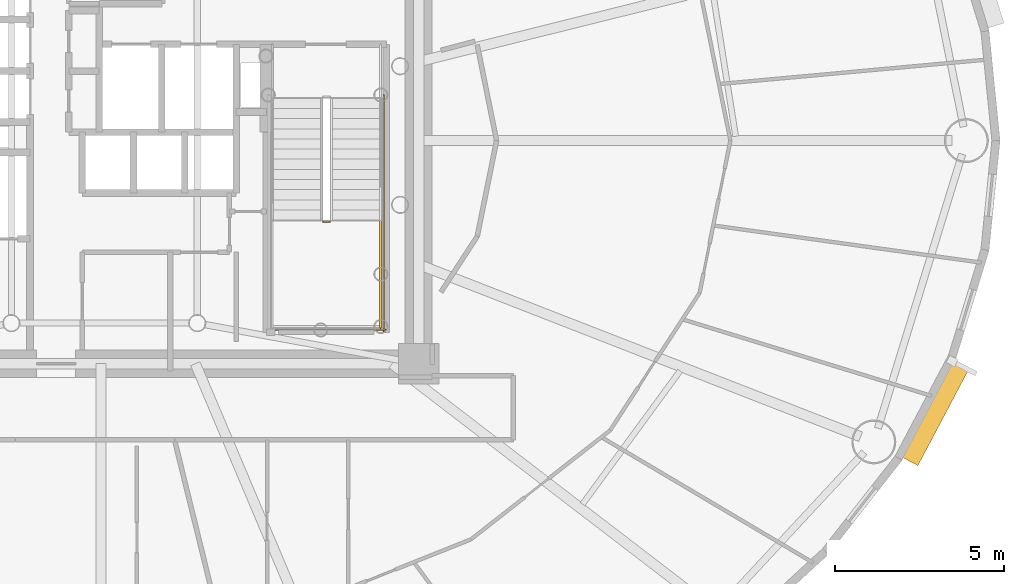
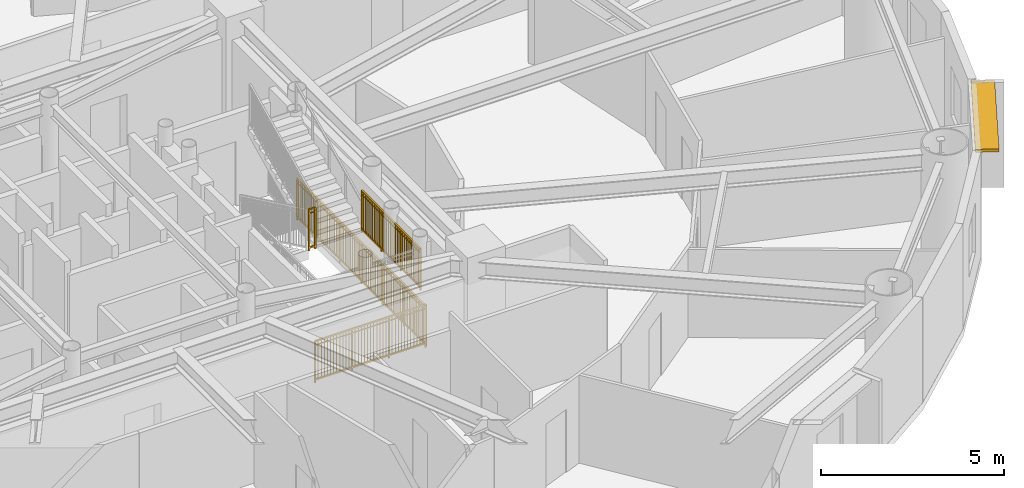
# One storey, part 16 of 18: 4 railings, 1 shading device.
"""IFC4 building model written with IfcOpenShell, lengths in metres."""

import ifcopenshell
import ifcopenshell.guid

model = None  # the IFC model being written
_history = None  # IfcOwnerHistory: only IFC2X3 demands one
_inside = {}  # id of a spatial element -> (the spatial element, [elements in it])
_under = {}  # id of a project, library or spatial element -> (it, [spatial elements below it])
_declared = {}  # id of a project -> (the project, [libraries it declares])
_typed = {}  # id of a type object -> (the type object, [elements of that type])
_made_of = {}  # id of a material, layer set ... -> (it, [elements and type objects made of it])


def new_model(schema):
    """Start an empty IFC model of exactly this schema.

    Asked for "IFC4X3", IfcOpenShell would pick the latest addendum, in which some entities
    have other attributes; the version numbers below select the first issue.
    IFC2X3 requires an IfcOwnerHistory on every rooted entity: one is made here for all.
    """
    global model, _history
    if schema == "IFC4X3":
        model = ifcopenshell.file(schema_version=(4, 3, 0, 0))
    else:
        model = ifcopenshell.file(schema=schema)
    _inside.clear()
    _under.clear()
    _declared.clear()
    _typed.clear()
    _made_of.clear()
    _history = None
    if model.schema == "IFC2X3":
        org = make("IfcOrganization", Name="unknown")
        user = make(
            "IfcPersonAndOrganization",
            ThePerson=make("IfcPerson", FamilyName="unknown"),
            TheOrganization=org,
        )
        app = make(
            "IfcApplication",
            ApplicationDeveloper=org,
            Version="unknown",
            ApplicationFullName="unknown",
            ApplicationIdentifier="unknown",
        )
        _history = make(
            "IfcOwnerHistory",
            OwningUser=user,
            OwningApplication=app,
            ChangeAction="ADDED",
            CreationDate=0,
        )
    return model


def make(cls, **values):
    """One entity of the class cls with the attributes given. An attribute that is None is left unset."""
    return model.create_entity(
        cls, **{name: value for name, value in values.items() if value is not None}
    )


def rooted(cls, **values):
    """An entity with a GlobalId (a new one), such as an element, a storey or a relation."""
    return make(cls, GlobalId=ifcopenshell.guid.new(), OwnerHistory=_history, **values)


def si_unit(unit_type, name, prefix=None):
    """IfcSIUnit, for example si_unit("LENGTHUNIT", "METRE", prefix="MILLI")."""
    return make("IfcSIUnit", UnitType=unit_type, Prefix=prefix, Name=name)


def assignment(units):
    """IfcUnitAssignment: the units of a project."""
    return None if units is None else make("IfcUnitAssignment", Units=units)


def point(xyz):
    """IfcCartesianPoint."""
    return None if xyz is None else make("IfcCartesianPoint", Coordinates=xyz)


def direction(xyz):
    """IfcDirection."""
    return None if xyz is None else make("IfcDirection", DirectionRatios=xyz)


def frame(location, z_axis=None, x_axis=None):
    """IfcAxis2Placement3D, a coordinate frame: its origin and axes. An axis left out is left unset."""
    return make(
        "IfcAxis2Placement3D",
        Location=point(location),
        Axis=direction(z_axis),
        RefDirection=direction(x_axis),
    )


def frame_2d(location, x_axis=None):
    """IfcAxis2Placement2D, a coordinate frame in the plane: its origin and x axis."""
    return make(
        "IfcAxis2Placement2D", Location=point(location), RefDirection=direction(x_axis)
    )


def origin():
    """The frame at (0, 0, 0) with its axes left unset."""
    return frame((0.0, 0.0, 0.0))


def origin_2d():
    """The frame at (0, 0) in the plane with its x axis left unset."""
    return frame_2d((0.0, 0.0))


def place(relative_to, where):
    """IfcLocalPlacement: puts the frame where relative to a parent placement (None: the world)."""
    return make(
        "IfcLocalPlacement", PlacementRelTo=relative_to, RelativePlacement=where
    )


def context(
    kind, dimensions, precision=None, world=None, true_north=None, identifier=None
):
    """IfcGeometricRepresentationContext, for example the 3D "Model" context."""
    return make(
        "IfcGeometricRepresentationContext",
        ContextIdentifier=identifier,
        ContextType=kind,
        CoordinateSpaceDimension=dimensions,
        Precision=precision,
        WorldCoordinateSystem=world,
        TrueNorth=true_north,
    )


def subcontext(parent, identifier, kind, view, scale=None):
    """IfcGeometricRepresentationSubContext, for example "Body" below "Model"."""
    return make(
        "IfcGeometricRepresentationSubContext",
        ContextIdentifier=identifier,
        ContextType=kind,
        ParentContext=parent,
        TargetScale=scale,
        TargetView=view,
    )


def project(units=None, contexts=None):
    """IfcProject with its units and contexts."""
    return rooted(
        "IfcProject",
        Name="project",
        RepresentationContexts=contexts,
        UnitsInContext=assignment(units),
    )


def spatial(cls, under=None, at=None, **own):
    """A site, building, storey or space (cls), placed at a placement, below another one or the project."""
    s = rooted(cls, ObjectPlacement=at, **own)
    if under is not None:
        _under.setdefault(under.id(), (under, []))[1].append(s)
    return s


def profile(cls, at=None, kind="AREA", **sizes):
    """A parametric profile (cls). Its sizes go by their IFC names, for example OverallWidth=200.0."""
    return make(cls, ProfileType=kind, Position=at, **sizes)


def rectangle(**sizes):
    """IfcRectangleProfileDef."""
    return profile("IfcRectangleProfileDef", **sizes)


def extrude(swept, where, along, depth):
    """IfcExtrudedAreaSolid: the profile swept, set in the frame where, extruded along a direction by depth."""
    return make(
        "IfcExtrudedAreaSolid",
        SweptArea=swept,
        Position=where,
        ExtrudedDirection=direction(along),
        Depth=depth,
    )


def shape(context_of_items, identifier, shape_type, items):
    """IfcShapeRepresentation: the items that make up one representation, for example the "Body"."""
    return make(
        "IfcShapeRepresentation",
        ContextOfItems=context_of_items,
        RepresentationIdentifier=identifier,
        RepresentationType=shape_type,
        Items=items,
    )


def source(mapping_origin, context_of_items, identifier, shape_type, items):
    """IfcRepresentationMap: a shape defined once, which mapped items show again and again."""
    return make(
        "IfcRepresentationMap",
        MappingOrigin=mapping_origin,
        MappedRepresentation=shape(context_of_items, identifier, shape_type, items),
    )


def transform(
    local_origin,
    x_axis=None,
    y_axis=None,
    z_axis=None,
    scale=None,
    scale2=None,
    scale3=None,
    uniform=True,
):
    """IfcCartesianTransformationOperator3D, or its non-uniform kind. x_axis, y_axis, z_axis: its Axis1, 2, 3."""
    if uniform:
        return make(
            "IfcCartesianTransformationOperator3D",
            Axis1=direction(x_axis),
            Axis2=direction(y_axis),
            LocalOrigin=point(local_origin),
            Scale=scale,
            Axis3=direction(z_axis),
        )
    return make(
        "IfcCartesianTransformationOperator3DnonUniform",
        Axis1=direction(x_axis),
        Axis2=direction(y_axis),
        LocalOrigin=point(local_origin),
        Scale=scale,
        Axis3=direction(z_axis),
        Scale2=scale2,
        Scale3=scale3,
    )


def mapped(mapping_source, mapping_target):
    """IfcMappedItem: shows the shape of a source again, moved by a transform."""
    return make(
        "IfcMappedItem", MappingSource=mapping_source, MappingTarget=mapping_target
    )


def material(Name=None, Category=None):
    """IfcMaterial."""
    return make("IfcMaterial", Name=Name, Category=Category)


def layer(
    of_material, thickness, ventilated=None, Name=None, Category=None, Priority=None
):
    """IfcMaterialLayer: one layer of a wall or slab, of a material (None: an air gap)."""
    return make(
        "IfcMaterialLayer",
        Material=of_material,
        LayerThickness=thickness,
        IsVentilated=ventilated,
        Name=Name,
        Category=Category,
        Priority=Priority,
    )


def layer_set(layers, Name=None):
    """IfcMaterialLayerSet."""
    return make("IfcMaterialLayerSet", MaterialLayers=layers, LayerSetName=Name)


def made_of(thing, what):
    """Note that an element or type object is made of a material, layer set ...; save() writes the relation."""
    if what is not None:
        _made_of.setdefault(what.id(), (what, []))[1].append(thing)
    return thing


def type_object(cls, material=None, **own):
    """A type object (cls), such as IfcWallType, which elements share."""
    return made_of(rooted(cls, **own), material)


def element(
    cls,
    number,
    at=None,
    inside=None,
    cuts=None,
    type_object=None,
    material=None,
    context=None,
    identifier="Body",
    shape_type=None,
    held_by="IfcProductDefinitionShape",
    body=None,
    shapes=None,
    **own,
):
    """One element of the class cls, such as IfcWall. Its Tag is "e" and its number.

    at: its placement. inside: the storey or other place that contains it. cuts: it is an
    opening in that element (IfcRelVoidsElement). A single representation is given by context,
    identifier, shape_type and body (its items); several are given by shapes. held_by: the class
    of the entity that holds the representations. save() writes the other relations.
    """
    e = rooted(cls, Tag="e%d" % number, ObjectPlacement=at, **own)
    if body is not None:
        shapes = [shape(context, identifier, shape_type, body)]
    if shapes is not None:
        e.Representation = make(held_by, Representations=shapes)
    if inside is not None:
        _inside.setdefault(inside.id(), (inside, []))[1].append(e)
    if cuts is not None:
        rooted(
            "IfcRelVoidsElement", RelatingBuildingElement=cuts, RelatedOpeningElement=e
        )
    if type_object is not None:
        _typed.setdefault(type_object.id(), (type_object, []))[1].append(e)
    return made_of(e, material)


def aggregate(whole, parts):
    """IfcRelAggregates: a whole, such as a stair, and the parts it consists of."""
    return rooted("IfcRelAggregates", RelatingObject=whole, RelatedObjects=parts)


def save(model, path):
    """Write the relations noted so far, then the file.

    IfcRelAggregates (storeys below a building ...), IfcRelContainedInSpatialStructure (elements
    in a storey), IfcRelDefinesByType, IfcRelAssociatesMaterial and IfcRelDeclares: one each for
    every whole, place, type object, material and project.
    """
    for whole, parts in _under.values():
        aggregate(whole, parts)
    for where, things in _inside.values():
        rooted(
            "IfcRelContainedInSpatialStructure",
            RelatedElements=things,
            RelatingStructure=where,
        )
    for kind, things in _typed.values():
        rooted("IfcRelDefinesByType", RelatedObjects=things, RelatingType=kind)
    for what, things in _made_of.values():
        rooted("IfcRelAssociatesMaterial", RelatedObjects=things, RelatingMaterial=what)
    for by, libraries in _declared.values():
        rooted("IfcRelDeclares", RelatingContext=by, RelatedDefinitions=libraries)
    model.write(path)


model = new_model("IFC4")

# Units and contexts
model_context = context("Model", 3, precision=1e-05, world=origin(), true_north=direction((0.0, 1.0)))
body_context = subcontext(model_context, "Body", "Model", "MODEL_VIEW")
ifc_project = project(units=[si_unit("LENGTHUNIT", "METRE"), si_unit("AREAUNIT", "SQUARE_METRE"), si_unit("VOLUMEUNIT", "CUBIC_METRE"), si_unit("PLANEANGLEUNIT", "RADIAN"), si_unit("MASSUNIT", "GRAM", prefix="KILO")], contexts=[model_context])

# Site, building, storey
site_placement = place(None, origin())
site = spatial("IfcSite", under=ifc_project, at=site_placement, CompositionType="ELEMENT")
building_placement = place(site_placement, origin())
building = spatial("IfcBuilding", under=site, at=building_placement, Name="Linh Dai School and Residence Tower", CompositionType="ELEMENT")
storey_placement = place(building_placement, frame((0.0, 0.0, 186.14990234375)))
storey = spatial("IfcBuildingStorey", under=building, at=storey_placement, Name="L45", CompositionType="ELEMENT", Elevation=186.14990234375)

# Shading device
ifc_material_1 = material(Name="Terracotta Ceramic Sunshade", Category="masonry")
ifc_layer = layer(ifc_material_1, 0.10009765625)
ifc_layer_set = layer_set([ifc_layer], Name="Terracotta Ceramic Sunshade")
shading_device_type = type_object("IfcShadingDeviceType", Name="SHD-TC-650", PredefinedType="USERDEFINED", material=ifc_layer_set)
shared_shape_1 = source(origin(), body_context, "Body", "SweptSolid", [
    extrude(rectangle(XDim=3.257568359375, YDim=0.64990234375, at=origin_2d()), origin(), (0.0, 0.0, 1.0), 0.10009765625),
])
shading_device_placement = place(storey_placement, frame((60.641357421875, 18.97802734375, 3.380126953125), z_axis=(0.0, 0.0, 1.0), x_axis=(-0.467580060884, -0.883950726378, 0.0)))
element("IfcShadingDevice", 1, at=shading_device_placement, inside=storey, type_object=shading_device_type, Name="L45 Terracotta Horizontal Sunshade Band 38", ObjectType="SUNSHADE", PredefinedType="USERDEFINED", context=body_context, shape_type="MappedRepresentation", body=[
    mapped(shared_shape_1, transform((0.0, 0.0, 0.0), x_axis=(1.0, 0.0, 0.0), y_axis=(0.0, 1.0, 0.0), z_axis=(0.0, 0.0, 1.0), scale=1.0)),
])

# Railings
ifc_material_2 = material(Name="Structural Steel S355JR", Category="steel")
railing_type = type_object("IfcRailingType", Name="RL-ST-GUARD-1400", PredefinedType="GUARDRAIL", material=ifc_material_2)
shared_shape_2 = source(origin(), body_context, "Body", "SweptSolid", [
    extrude(rectangle(XDim=0.048095703125, YDim=0.048095703125, at=origin_2d()), frame((0.0, 0.0, 1.3759765625), z_axis=(1.0, 0.0, 0.0), x_axis=(0.0, 1.0, 0.0)), (0.0, 0.0, 1.0), 0.199951171875),
    extrude(rectangle(XDim=0.048095703125, YDim=0.048095703125, at=origin_2d()), frame((0.0, 0.0, 0.10009765625), z_axis=(1.0, 0.0, 0.0), x_axis=(0.0, 1.0, 0.0)), (0.0, 0.0, 1.0), 0.199951171875),
    extrude(rectangle(XDim=0.030029296875, YDim=0.030029296875, at=origin_2d()), frame((0.0, 0.0, 1.239990234375), z_axis=(1.0, 0.0, 0.0), x_axis=(0.0, 1.0, 0.0)), (0.0, 0.0, 1.0), 0.199951171875),
    extrude(rectangle(XDim=0.0419921875, YDim=0.0419921875, at=origin_2d()), origin(), (0.0, 0.0, 1.0), 1.3759765625),
    extrude(rectangle(XDim=0.0419921875, YDim=0.0419921875, at=origin_2d()), frame((0.199951171875, 0.0, 0.0)), (0.0, 0.0, 1.0), 1.3759765625),
])
railing_1_placement = place(storey_placement, frame((42.570068359375, 24.60009765625, 1.875)))
element("IfcRailing", 2, at=railing_1_placement, inside=storey, type_object=railing_type, Name="L45 ST2 stair guard 2", PredefinedType="GUARDRAIL", context=body_context, shape_type="MappedRepresentation", body=[
    mapped(shared_shape_2, transform((0.0, 0.0, 0.0), x_axis=(1.0, 0.0, 0.0), y_axis=(0.0, 1.0, 0.0), z_axis=(0.0, 0.0, 1.0), scale=1.0)),
])
shared_shape_3 = source(origin(), body_context, "Body", "SweptSolid", [
    extrude(rectangle(XDim=0.048095703125, YDim=0.048095703125, at=origin_2d()), frame((0.0, 0.0, 1.3759765625), z_axis=(0.0, -1.0, 0.0), x_axis=(1.0, 0.0, 0.0)), (0.0, 0.0, 1.0), 7.0),
    extrude(rectangle(XDim=0.048095703125, YDim=0.048095703125, at=origin_2d()), frame((0.0, 0.0, 0.10009765625), z_axis=(0.0, -1.0, 0.0), x_axis=(1.0, 0.0, 0.0)), (0.0, 0.0, 1.0), 7.0),
    extrude(rectangle(XDim=0.030029296875, YDim=0.030029296875, at=origin_2d()), frame((0.0, 0.0, 1.239990234375), z_axis=(0.0, -1.0, 0.0), x_axis=(1.0, 0.0, 0.0)), (0.0, 0.0, 1.0), 7.0),
    extrude(rectangle(XDim=0.02001953125, YDim=0.02001953125, at=origin_2d()), frame((0.0, -0.09716796875, 0.10009765625)), (0.0, 0.0, 1.0), 1.251708984375),
    extrude(rectangle(XDim=0.02001953125, YDim=0.02001953125, at=origin_2d()), frame((0.0, -0.1943359375, 0.10009765625)), (0.0, 0.0, 1.0), 1.251708984375),
    extrude(rectangle(XDim=0.02001953125, YDim=0.02001953125, at=origin_2d()), frame((0.0, -0.291748046875, 0.10009765625)), (0.0, 0.0, 1.0), 1.251708984375),
    extrude(rectangle(XDim=0.02001953125, YDim=0.02001953125, at=origin_2d()), frame((0.0, -0.388916015625, 0.10009765625)), (0.0, 0.0, 1.0), 1.251708984375),
    extrude(rectangle(XDim=0.02001953125, YDim=0.02001953125, at=origin_2d()), frame((0.0, -0.486083984375, 0.10009765625)), (0.0, 0.0, 1.0), 1.251708984375),
    extrude(rectangle(XDim=0.02001953125, YDim=0.02001953125, at=origin_2d()), frame((0.0, -0.583251953125, 0.10009765625)), (0.0, 0.0, 1.0), 1.251708984375),
    extrude(rectangle(XDim=0.02001953125, YDim=0.02001953125, at=origin_2d()), frame((0.0, -0.6806640625, 0.10009765625)), (0.0, 0.0, 1.0), 1.251708984375),
    extrude(rectangle(XDim=0.02001953125, YDim=0.02001953125, at=origin_2d()), frame((0.0, -0.77783203125, 0.10009765625)), (0.0, 0.0, 1.0), 1.251708984375),
    extrude(rectangle(XDim=0.02001953125, YDim=0.02001953125, at=origin_2d()), frame((0.0, -0.875, 0.10009765625)), (0.0, 0.0, 1.0), 1.251708984375),
    extrude(rectangle(XDim=0.02001953125, YDim=0.02001953125, at=origin_2d()), frame((0.0, -0.97216796875, 0.10009765625)), (0.0, 0.0, 1.0), 1.251708984375),
    extrude(rectangle(XDim=0.02001953125, YDim=0.02001953125, at=origin_2d()), frame((0.0, -1.0693359375, 0.10009765625)), (0.0, 0.0, 1.0), 1.251708984375),
    extrude(rectangle(XDim=0.02001953125, YDim=0.02001953125, at=origin_2d()), frame((0.0, -1.263916015625, 0.10009765625)), (0.0, 0.0, 1.0), 1.251708984375),
    extrude(rectangle(XDim=0.02001953125, YDim=0.02001953125, at=origin_2d()), frame((0.0, -1.361083984375, 0.10009765625)), (0.0, 0.0, 1.0), 1.251708984375),
    extrude(rectangle(XDim=0.02001953125, YDim=0.02001953125, at=origin_2d()), frame((0.0, -1.458251953125, 0.10009765625)), (0.0, 0.0, 1.0), 1.251708984375),
    extrude(rectangle(XDim=0.02001953125, YDim=0.02001953125, at=origin_2d()), frame((0.0, -1.5556640625, 0.10009765625)), (0.0, 0.0, 1.0), 1.251708984375),
    extrude(rectangle(XDim=0.02001953125, YDim=0.02001953125, at=origin_2d()), frame((0.0, -1.65283203125, 0.10009765625)), (0.0, 0.0, 1.0), 1.251708984375),
    extrude(rectangle(XDim=0.02001953125, YDim=0.02001953125, at=origin_2d()), frame((0.0, -1.75, 0.10009765625)), (0.0, 0.0, 1.0), 1.251708984375),
    extrude(rectangle(XDim=0.02001953125, YDim=0.02001953125, at=origin_2d()), frame((0.0, -1.84716796875, 0.10009765625)), (0.0, 0.0, 1.0), 1.251708984375),
    extrude(rectangle(XDim=0.02001953125, YDim=0.02001953125, at=origin_2d()), frame((0.0, -1.9443359375, 0.10009765625)), (0.0, 0.0, 1.0), 1.251708984375),
    extrude(rectangle(XDim=0.02001953125, YDim=0.02001953125, at=origin_2d()), frame((0.0, -2.041748046875, 0.10009765625)), (0.0, 0.0, 1.0), 1.251708984375),
    extrude(rectangle(XDim=0.02001953125, YDim=0.02001953125, at=origin_2d()), frame((0.0, -2.138916015625, 0.10009765625)), (0.0, 0.0, 1.0), 1.251708984375),
    extrude(rectangle(XDim=0.02001953125, YDim=0.02001953125, at=origin_2d()), frame((0.0, -2.236083984375, 0.10009765625)), (0.0, 0.0, 1.0), 1.251708984375),
    extrude(rectangle(XDim=0.02001953125, YDim=0.02001953125, at=origin_2d()), frame((0.0, -2.4306640625, 0.10009765625)), (0.0, 0.0, 1.0), 1.251708984375),
    extrude(rectangle(XDim=0.02001953125, YDim=0.02001953125, at=origin_2d()), frame((0.0, -2.52783203125, 0.10009765625)), (0.0, 0.0, 1.0), 1.251708984375),
    extrude(rectangle(XDim=0.02001953125, YDim=0.02001953125, at=origin_2d()), frame((0.0, -2.625, 0.10009765625)), (0.0, 0.0, 1.0), 1.251708984375),
    extrude(rectangle(XDim=0.02001953125, YDim=0.02001953125, at=origin_2d()), frame((0.0, -2.72216796875, 0.10009765625)), (0.0, 0.0, 1.0), 1.251708984375),
    extrude(rectangle(XDim=0.02001953125, YDim=0.02001953125, at=origin_2d()), frame((0.0, -2.8193359375, 0.10009765625)), (0.0, 0.0, 1.0), 1.251708984375),
    extrude(rectangle(XDim=0.02001953125, YDim=0.02001953125, at=origin_2d()), frame((0.0, -2.916748046875, 0.10009765625)), (0.0, 0.0, 1.0), 1.251708984375),
    extrude(rectangle(XDim=0.02001953125, YDim=0.02001953125, at=origin_2d()), frame((0.0, -3.013916015625, 0.10009765625)), (0.0, 0.0, 1.0), 1.251708984375),
    extrude(rectangle(XDim=0.02001953125, YDim=0.02001953125, at=origin_2d()), frame((0.0, -3.111083984375, 0.10009765625)), (0.0, 0.0, 1.0), 1.251708984375),
    extrude(rectangle(XDim=0.02001953125, YDim=0.02001953125, at=origin_2d()), frame((0.0, -3.208251953125, 0.10009765625)), (0.0, 0.0, 1.0), 1.251708984375),
    extrude(rectangle(XDim=0.02001953125, YDim=0.02001953125, at=origin_2d()), frame((0.0, -3.3056640625, 0.10009765625)), (0.0, 0.0, 1.0), 1.251708984375),
    extrude(rectangle(XDim=0.02001953125, YDim=0.02001953125, at=origin_2d()), frame((0.0, -3.40283203125, 0.10009765625)), (0.0, 0.0, 1.0), 1.251708984375),
    extrude(rectangle(XDim=0.02001953125, YDim=0.02001953125, at=origin_2d()), frame((0.0, -3.59716796875, 0.10009765625)), (0.0, 0.0, 1.0), 1.251708984375),
    extrude(rectangle(XDim=0.02001953125, YDim=0.02001953125, at=origin_2d()), frame((0.0, -3.6943359375, 0.10009765625)), (0.0, 0.0, 1.0), 1.251708984375),
    extrude(rectangle(XDim=0.02001953125, YDim=0.02001953125, at=origin_2d()), frame((0.0, -3.791748046875, 0.10009765625)), (0.0, 0.0, 1.0), 1.251708984375),
    extrude(rectangle(XDim=0.02001953125, YDim=0.02001953125, at=origin_2d()), frame((0.0, -3.888916015625, 0.10009765625)), (0.0, 0.0, 1.0), 1.251708984375),
    extrude(rectangle(XDim=0.02001953125, YDim=0.02001953125, at=origin_2d()), frame((0.0, -3.986083984375, 0.10009765625)), (0.0, 0.0, 1.0), 1.251708984375),
    extrude(rectangle(XDim=0.02001953125, YDim=0.02001953125, at=origin_2d()), frame((0.0, -4.083251953125, 0.10009765625)), (0.0, 0.0, 1.0), 1.251708984375),
    extrude(rectangle(XDim=0.02001953125, YDim=0.02001953125, at=origin_2d()), frame((0.0, -4.1806640625, 0.10009765625)), (0.0, 0.0, 1.0), 1.251708984375),
    extrude(rectangle(XDim=0.02001953125, YDim=0.02001953125, at=origin_2d()), frame((0.0, -4.27783203125, 0.10009765625)), (0.0, 0.0, 1.0), 1.251708984375),
    extrude(rectangle(XDim=0.02001953125, YDim=0.02001953125, at=origin_2d()), frame((0.0, -4.375, 0.10009765625)), (0.0, 0.0, 1.0), 1.251708984375),
    extrude(rectangle(XDim=0.02001953125, YDim=0.02001953125, at=origin_2d()), frame((0.0, -4.47216796875, 0.10009765625)), (0.0, 0.0, 1.0), 1.251708984375),
    extrude(rectangle(XDim=0.02001953125, YDim=0.02001953125, at=origin_2d()), frame((0.0, -4.5693359375, 0.10009765625)), (0.0, 0.0, 1.0), 1.251708984375),
    extrude(rectangle(XDim=0.02001953125, YDim=0.02001953125, at=origin_2d()), frame((0.0, -4.763916015625, 0.10009765625)), (0.0, 0.0, 1.0), 1.251708984375),
    extrude(rectangle(XDim=0.02001953125, YDim=0.02001953125, at=origin_2d()), frame((0.0, -4.861083984375, 0.10009765625)), (0.0, 0.0, 1.0), 1.251708984375),
    extrude(rectangle(XDim=0.02001953125, YDim=0.02001953125, at=origin_2d()), frame((0.0, -4.958251953125, 0.10009765625)), (0.0, 0.0, 1.0), 1.251708984375),
    extrude(rectangle(XDim=0.02001953125, YDim=0.02001953125, at=origin_2d()), frame((0.0, -5.0556640625, 0.10009765625)), (0.0, 0.0, 1.0), 1.251708984375),
    extrude(rectangle(XDim=0.02001953125, YDim=0.02001953125, at=origin_2d()), frame((0.0, -5.15283203125, 0.10009765625)), (0.0, 0.0, 1.0), 1.251708984375),
    extrude(rectangle(XDim=0.02001953125, YDim=0.02001953125, at=origin_2d()), frame((0.0, -5.25, 0.10009765625)), (0.0, 0.0, 1.0), 1.251708984375),
    extrude(rectangle(XDim=0.02001953125, YDim=0.02001953125, at=origin_2d()), frame((0.0, -5.34716796875, 0.10009765625)), (0.0, 0.0, 1.0), 1.251708984375),
    extrude(rectangle(XDim=0.02001953125, YDim=0.02001953125, at=origin_2d()), frame((0.0, -5.4443359375, 0.10009765625)), (0.0, 0.0, 1.0), 1.251708984375),
    extrude(rectangle(XDim=0.02001953125, YDim=0.02001953125, at=origin_2d()), frame((0.0, -5.541748046875, 0.10009765625)), (0.0, 0.0, 1.0), 1.251708984375),
    extrude(rectangle(XDim=0.02001953125, YDim=0.02001953125, at=origin_2d()), frame((0.0, -5.638916015625, 0.10009765625)), (0.0, 0.0, 1.0), 1.251708984375),
    extrude(rectangle(XDim=0.02001953125, YDim=0.02001953125, at=origin_2d()), frame((0.0, -5.736083984375, 0.10009765625)), (0.0, 0.0, 1.0), 1.251708984375),
    extrude(rectangle(XDim=0.02001953125, YDim=0.02001953125, at=origin_2d()), frame((0.0, -5.9306640625, 0.10009765625)), (0.0, 0.0, 1.0), 1.251708984375),
    extrude(rectangle(XDim=0.02001953125, YDim=0.02001953125, at=origin_2d()), frame((0.0, -6.02783203125, 0.10009765625)), (0.0, 0.0, 1.0), 1.251708984375),
    extrude(rectangle(XDim=0.02001953125, YDim=0.02001953125, at=origin_2d()), frame((0.0, -6.125, 0.10009765625)), (0.0, 0.0, 1.0), 1.251708984375),
    extrude(rectangle(XDim=0.02001953125, YDim=0.02001953125, at=origin_2d()), frame((0.0, -6.22216796875, 0.10009765625)), (0.0, 0.0, 1.0), 1.251708984375),
    extrude(rectangle(XDim=0.02001953125, YDim=0.02001953125, at=origin_2d()), frame((0.0, -6.3193359375, 0.10009765625)), (0.0, 0.0, 1.0), 1.251708984375),
    extrude(rectangle(XDim=0.02001953125, YDim=0.02001953125, at=origin_2d()), frame((0.0, -6.416748046875, 0.10009765625)), (0.0, 0.0, 1.0), 1.251708984375),
    extrude(rectangle(XDim=0.02001953125, YDim=0.02001953125, at=origin_2d()), frame((0.0, -6.513916015625, 0.10009765625)), (0.0, 0.0, 1.0), 1.251708984375),
    extrude(rectangle(XDim=0.02001953125, YDim=0.02001953125, at=origin_2d()), frame((0.0, -6.611083984375, 0.10009765625)), (0.0, 0.0, 1.0), 1.251708984375),
    extrude(rectangle(XDim=0.02001953125, YDim=0.02001953125, at=origin_2d()), frame((0.0, -6.708251953125, 0.10009765625)), (0.0, 0.0, 1.0), 1.251708984375),
    extrude(rectangle(XDim=0.02001953125, YDim=0.02001953125, at=origin_2d()), frame((0.0, -6.8056640625, 0.10009765625)), (0.0, 0.0, 1.0), 1.251708984375),
    extrude(rectangle(XDim=0.02001953125, YDim=0.02001953125, at=origin_2d()), frame((0.0, -6.90283203125, 0.10009765625)), (0.0, 0.0, 1.0), 1.251708984375),
    extrude(rectangle(XDim=0.0419921875, YDim=0.0419921875, at=origin_2d()), origin(), (0.0, 0.0, 1.0), 1.3759765625),
    extrude(rectangle(XDim=0.0419921875, YDim=0.0419921875, at=origin_2d()), frame((0.0, -1.166748046875, 0.0)), (0.0, 0.0, 1.0), 1.3759765625),
    extrude(rectangle(XDim=0.0419921875, YDim=0.0419921875, at=origin_2d()), frame((0.0, -2.333251953125, 0.0)), (0.0, 0.0, 1.0), 1.3759765625),
    extrude(rectangle(XDim=0.0419921875, YDim=0.0419921875, at=origin_2d()), frame((0.0, -3.5, 0.0)), (0.0, 0.0, 1.0), 1.3759765625),
    extrude(rectangle(XDim=0.0419921875, YDim=0.0419921875, at=origin_2d()), frame((0.0, -4.666748046875, 0.0)), (0.0, 0.0, 1.0), 1.3759765625),
    extrude(rectangle(XDim=0.0419921875, YDim=0.0419921875, at=origin_2d()), frame((0.0, -5.833251953125, 0.0)), (0.0, 0.0, 1.0), 1.3759765625),
    extrude(rectangle(XDim=0.0419921875, YDim=0.0419921875, at=origin_2d()), frame((0.0, -7.0, 0.0)), (0.0, 0.0, 1.0), 1.3759765625),
])
railing_2_placement = place(storey_placement, frame((44.3701171875, 28.35009765625, 0.0)))
element("IfcRailing", 3, at=railing_2_placement, inside=storey, type_object=railing_type, Name="L45 ST2 stair guard 11", PredefinedType="GUARDRAIL", context=body_context, shape_type="MappedRepresentation", body=[
    mapped(shared_shape_3, transform((0.0, 0.0, 0.0), x_axis=(1.0, 0.0, 0.0), y_axis=(0.0, 1.0, 0.0), z_axis=(0.0, 0.0, 1.0), scale=1.0)),
])
shared_shape_4 = source(origin(), body_context, "Body", "SweptSolid", [
    extrude(rectangle(XDim=0.048095703125, YDim=0.048095703125, at=origin_2d()), frame((0.0, 0.0, 1.3759765625), z_axis=(1.0, 0.0, 0.0), x_axis=(0.0, 1.0, 0.0)), (0.0, 0.0, 1.0), 3.5),
    extrude(rectangle(XDim=0.048095703125, YDim=0.048095703125, at=origin_2d()), frame((0.0, 0.0, 0.10009765625), z_axis=(1.0, 0.0, 0.0), x_axis=(0.0, 1.0, 0.0)), (0.0, 0.0, 1.0), 3.5),
    extrude(rectangle(XDim=0.030029296875, YDim=0.030029296875, at=origin_2d()), frame((0.0, 0.0, 1.239990234375), z_axis=(1.0, 0.0, 0.0), x_axis=(0.0, 1.0, 0.0)), (0.0, 0.0, 1.0), 3.5),
    extrude(rectangle(XDim=0.02001953125, YDim=0.02001953125, at=origin_2d()), frame((0.09716796875, 0.0, 0.10009765625)), (0.0, 0.0, 1.0), 1.251708984375),
    extrude(rectangle(XDim=0.02001953125, YDim=0.02001953125, at=origin_2d()), frame((0.1943359375, 0.0, 0.10009765625)), (0.0, 0.0, 1.0), 1.251708984375),
    extrude(rectangle(XDim=0.02001953125, YDim=0.02001953125, at=origin_2d()), frame((0.291748046875, 0.0, 0.10009765625)), (0.0, 0.0, 1.0), 1.251708984375),
    extrude(rectangle(XDim=0.02001953125, YDim=0.02001953125, at=origin_2d()), frame((0.388916015625, 0.0, 0.10009765625)), (0.0, 0.0, 1.0), 1.251708984375),
    extrude(rectangle(XDim=0.02001953125, YDim=0.02001953125, at=origin_2d()), frame((0.486083984375, 0.0, 0.10009765625)), (0.0, 0.0, 1.0), 1.251708984375),
    extrude(rectangle(XDim=0.02001953125, YDim=0.02001953125, at=origin_2d()), frame((0.583251953125, 0.0, 0.10009765625)), (0.0, 0.0, 1.0), 1.251708984375),
    extrude(rectangle(XDim=0.02001953125, YDim=0.02001953125, at=origin_2d()), frame((0.6806640625, 0.0, 0.10009765625)), (0.0, 0.0, 1.0), 1.251708984375),
    extrude(rectangle(XDim=0.02001953125, YDim=0.02001953125, at=origin_2d()), frame((0.77783203125, 0.0, 0.10009765625)), (0.0, 0.0, 1.0), 1.251708984375),
    extrude(rectangle(XDim=0.02001953125, YDim=0.02001953125, at=origin_2d()), frame((0.875, 0.0, 0.10009765625)), (0.0, 0.0, 1.0), 1.251708984375),
    extrude(rectangle(XDim=0.02001953125, YDim=0.02001953125, at=origin_2d()), frame((0.97216796875, 0.0, 0.10009765625)), (0.0, 0.0, 1.0), 1.251708984375),
    extrude(rectangle(XDim=0.02001953125, YDim=0.02001953125, at=origin_2d()), frame((1.0693359375, 0.0, 0.10009765625)), (0.0, 0.0, 1.0), 1.251708984375),
    extrude(rectangle(XDim=0.02001953125, YDim=0.02001953125, at=origin_2d()), frame((1.263916015625, 0.0, 0.10009765625)), (0.0, 0.0, 1.0), 1.251708984375),
    extrude(rectangle(XDim=0.02001953125, YDim=0.02001953125, at=origin_2d()), frame((1.361083984375, 0.0, 0.10009765625)), (0.0, 0.0, 1.0), 1.251708984375),
    extrude(rectangle(XDim=0.02001953125, YDim=0.02001953125, at=origin_2d()), frame((1.458251953125, 0.0, 0.10009765625)), (0.0, 0.0, 1.0), 1.251708984375),
    extrude(rectangle(XDim=0.02001953125, YDim=0.02001953125, at=origin_2d()), frame((1.5556640625, 0.0, 0.10009765625)), (0.0, 0.0, 1.0), 1.251708984375),
    extrude(rectangle(XDim=0.02001953125, YDim=0.02001953125, at=origin_2d()), frame((1.65283203125, 0.0, 0.10009765625)), (0.0, 0.0, 1.0), 1.251708984375),
    extrude(rectangle(XDim=0.02001953125, YDim=0.02001953125, at=origin_2d()), frame((1.75, 0.0, 0.10009765625)), (0.0, 0.0, 1.0), 1.251708984375),
    extrude(rectangle(XDim=0.02001953125, YDim=0.02001953125, at=origin_2d()), frame((1.84716796875, 0.0, 0.10009765625)), (0.0, 0.0, 1.0), 1.251708984375),
    extrude(rectangle(XDim=0.02001953125, YDim=0.02001953125, at=origin_2d()), frame((1.9443359375, 0.0, 0.10009765625)), (0.0, 0.0, 1.0), 1.251708984375),
    extrude(rectangle(XDim=0.02001953125, YDim=0.02001953125, at=origin_2d()), frame((2.041748046875, 0.0, 0.10009765625)), (0.0, 0.0, 1.0), 1.251708984375),
    extrude(rectangle(XDim=0.02001953125, YDim=0.02001953125, at=origin_2d()), frame((2.138916015625, 0.0, 0.10009765625)), (0.0, 0.0, 1.0), 1.251708984375),
    extrude(rectangle(XDim=0.02001953125, YDim=0.02001953125, at=origin_2d()), frame((2.236083984375, 0.0, 0.10009765625)), (0.0, 0.0, 1.0), 1.251708984375),
    extrude(rectangle(XDim=0.02001953125, YDim=0.02001953125, at=origin_2d()), frame((2.4306640625, 0.0, 0.10009765625)), (0.0, 0.0, 1.0), 1.251708984375),
    extrude(rectangle(XDim=0.02001953125, YDim=0.02001953125, at=origin_2d()), frame((2.52783203125, 0.0, 0.10009765625)), (0.0, 0.0, 1.0), 1.251708984375),
    extrude(rectangle(XDim=0.02001953125, YDim=0.02001953125, at=origin_2d()), frame((2.625, 0.0, 0.10009765625)), (0.0, 0.0, 1.0), 1.251708984375),
    extrude(rectangle(XDim=0.02001953125, YDim=0.02001953125, at=origin_2d()), frame((2.72216796875, 0.0, 0.10009765625)), (0.0, 0.0, 1.0), 1.251708984375),
    extrude(rectangle(XDim=0.02001953125, YDim=0.02001953125, at=origin_2d()), frame((2.8193359375, 0.0, 0.10009765625)), (0.0, 0.0, 1.0), 1.251708984375),
    extrude(rectangle(XDim=0.02001953125, YDim=0.02001953125, at=origin_2d()), frame((2.916748046875, 0.0, 0.10009765625)), (0.0, 0.0, 1.0), 1.251708984375),
    extrude(rectangle(XDim=0.02001953125, YDim=0.02001953125, at=origin_2d()), frame((3.013916015625, 0.0, 0.10009765625)), (0.0, 0.0, 1.0), 1.251708984375),
    extrude(rectangle(XDim=0.02001953125, YDim=0.02001953125, at=origin_2d()), frame((3.111083984375, 0.0, 0.10009765625)), (0.0, 0.0, 1.0), 1.251708984375),
    extrude(rectangle(XDim=0.02001953125, YDim=0.02001953125, at=origin_2d()), frame((3.208251953125, 0.0, 0.10009765625)), (0.0, 0.0, 1.0), 1.251708984375),
    extrude(rectangle(XDim=0.02001953125, YDim=0.02001953125, at=origin_2d()), frame((3.3056640625, 0.0, 0.10009765625)), (0.0, 0.0, 1.0), 1.251708984375),
    extrude(rectangle(XDim=0.02001953125, YDim=0.02001953125, at=origin_2d()), frame((3.40283203125, 0.0, 0.10009765625)), (0.0, 0.0, 1.0), 1.251708984375),
    extrude(rectangle(XDim=0.0419921875, YDim=0.0419921875, at=origin_2d()), origin(), (0.0, 0.0, 1.0), 1.3759765625),
    extrude(rectangle(XDim=0.0419921875, YDim=0.0419921875, at=origin_2d()), frame((1.166748046875, 0.0, 0.0)), (0.0, 0.0, 1.0), 1.3759765625),
    extrude(rectangle(XDim=0.0419921875, YDim=0.0419921875, at=origin_2d()), frame((2.333251953125, 0.0, 0.0)), (0.0, 0.0, 1.0), 1.3759765625),
    extrude(rectangle(XDim=0.0419921875, YDim=0.0419921875, at=origin_2d()), frame((3.5, 0.0, 0.0)), (0.0, 0.0, 1.0), 1.3759765625),
])
railing_3_placement = place(storey_placement, frame((40.919921875, 21.39990234375, 0.0)))
element("IfcRailing", 4, at=railing_3_placement, inside=storey, type_object=railing_type, Name="L45 ST2 stair guard 12", PredefinedType="GUARDRAIL", context=body_context, shape_type="MappedRepresentation", body=[
    mapped(shared_shape_4, transform((0.0, 0.0, 0.0), x_axis=(1.0, 0.0, 0.0), y_axis=(0.0, 1.0, 0.0), z_axis=(0.0, 0.0, 1.0), scale=1.0)),
])
shared_shape_5 = source(origin(), body_context, "Body", "SweptSolid", [
    extrude(rectangle(XDim=0.048095703125, YDim=0.048095703125, at=origin_2d()), frame((0.0, 0.0, 1.3759765625), z_axis=(0.0, -1.0, 0.0), x_axis=(1.0, 0.0, 0.0)), (0.0, 0.0, 1.0), 3.199951171875),
    extrude(rectangle(XDim=0.048095703125, YDim=0.048095703125, at=origin_2d()), frame((0.0, 0.0, 0.10009765625), z_axis=(0.0, -1.0, 0.0), x_axis=(1.0, 0.0, 0.0)), (0.0, 0.0, 1.0), 3.199951171875),
    extrude(rectangle(XDim=0.030029296875, YDim=0.030029296875, at=origin_2d()), frame((0.0, 0.0, 1.239990234375), z_axis=(0.0, -1.0, 0.0), x_axis=(1.0, 0.0, 0.0)), (0.0, 0.0, 1.0), 3.199951171875),
    extrude(rectangle(XDim=0.02001953125, YDim=0.02001953125, at=origin_2d()), frame((0.0, -0.096923828125, 0.10009765625)), (0.0, 0.0, 1.0), 1.251708984375),
    extrude(rectangle(XDim=0.02001953125, YDim=0.02001953125, at=origin_2d()), frame((0.0, -0.19384765625, 0.10009765625)), (0.0, 0.0, 1.0), 1.251708984375),
    extrude(rectangle(XDim=0.02001953125, YDim=0.02001953125, at=origin_2d()), frame((0.0, -0.291015625, 0.10009765625)), (0.0, 0.0, 1.0), 1.251708984375),
    extrude(rectangle(XDim=0.02001953125, YDim=0.02001953125, at=origin_2d()), frame((0.0, -0.387939453125, 0.10009765625)), (0.0, 0.0, 1.0), 1.251708984375),
    extrude(rectangle(XDim=0.02001953125, YDim=0.02001953125, at=origin_2d()), frame((0.0, -0.48486328125, 0.10009765625)), (0.0, 0.0, 1.0), 1.251708984375),
    extrude(rectangle(XDim=0.02001953125, YDim=0.02001953125, at=origin_2d()), frame((0.0, -0.581787109375, 0.10009765625)), (0.0, 0.0, 1.0), 1.251708984375),
    extrude(rectangle(XDim=0.02001953125, YDim=0.02001953125, at=origin_2d()), frame((0.0, -0.6787109375, 0.10009765625)), (0.0, 0.0, 1.0), 1.251708984375),
    extrude(rectangle(XDim=0.02001953125, YDim=0.02001953125, at=origin_2d()), frame((0.0, -0.775634765625, 0.10009765625)), (0.0, 0.0, 1.0), 1.251708984375),
    extrude(rectangle(XDim=0.02001953125, YDim=0.02001953125, at=origin_2d()), frame((0.0, -0.872802734375, 0.10009765625)), (0.0, 0.0, 1.0), 1.251708984375),
    extrude(rectangle(XDim=0.02001953125, YDim=0.02001953125, at=origin_2d()), frame((0.0, -0.9697265625, 0.10009765625)), (0.0, 0.0, 1.0), 1.251708984375),
    extrude(rectangle(XDim=0.02001953125, YDim=0.02001953125, at=origin_2d()), frame((0.0, -1.16357421875, 0.10009765625)), (0.0, 0.0, 1.0), 1.251708984375),
    extrude(rectangle(XDim=0.02001953125, YDim=0.02001953125, at=origin_2d()), frame((0.0, -1.260498046875, 0.10009765625)), (0.0, 0.0, 1.0), 1.251708984375),
    extrude(rectangle(XDim=0.02001953125, YDim=0.02001953125, at=origin_2d()), frame((0.0, -1.357666015625, 0.10009765625)), (0.0, 0.0, 1.0), 1.251708984375),
    extrude(rectangle(XDim=0.02001953125, YDim=0.02001953125, at=origin_2d()), frame((0.0, -1.45458984375, 0.10009765625)), (0.0, 0.0, 1.0), 1.251708984375),
    extrude(rectangle(XDim=0.02001953125, YDim=0.02001953125, at=origin_2d()), frame((0.0, -1.551513671875, 0.10009765625)), (0.0, 0.0, 1.0), 1.251708984375),
    extrude(rectangle(XDim=0.02001953125, YDim=0.02001953125, at=origin_2d()), frame((0.0, -1.6484375, 0.10009765625)), (0.0, 0.0, 1.0), 1.251708984375),
    extrude(rectangle(XDim=0.02001953125, YDim=0.02001953125, at=origin_2d()), frame((0.0, -1.745361328125, 0.10009765625)), (0.0, 0.0, 1.0), 1.251708984375),
    extrude(rectangle(XDim=0.02001953125, YDim=0.02001953125, at=origin_2d()), frame((0.0, -1.84228515625, 0.10009765625)), (0.0, 0.0, 1.0), 1.251708984375),
    extrude(rectangle(XDim=0.02001953125, YDim=0.02001953125, at=origin_2d()), frame((0.0, -1.939453125, 0.10009765625)), (0.0, 0.0, 1.0), 1.251708984375),
    extrude(rectangle(XDim=0.02001953125, YDim=0.02001953125, at=origin_2d()), frame((0.0, -2.036376953125, 0.10009765625)), (0.0, 0.0, 1.0), 1.251708984375),
    extrude(rectangle(XDim=0.02001953125, YDim=0.02001953125, at=origin_2d()), frame((0.0, -2.230224609375, 0.10009765625)), (0.0, 0.0, 1.0), 1.251708984375),
    extrude(rectangle(XDim=0.02001953125, YDim=0.02001953125, at=origin_2d()), frame((0.0, -2.3271484375, 0.10009765625)), (0.0, 0.0, 1.0), 1.251708984375),
    extrude(rectangle(XDim=0.02001953125, YDim=0.02001953125, at=origin_2d()), frame((0.0, -2.42431640625, 0.10009765625)), (0.0, 0.0, 1.0), 1.251708984375),
    extrude(rectangle(XDim=0.02001953125, YDim=0.02001953125, at=origin_2d()), frame((0.0, -2.521240234375, 0.10009765625)), (0.0, 0.0, 1.0), 1.251708984375),
    extrude(rectangle(XDim=0.02001953125, YDim=0.02001953125, at=origin_2d()), frame((0.0, -2.6181640625, 0.10009765625)), (0.0, 0.0, 1.0), 1.251708984375),
    extrude(rectangle(XDim=0.02001953125, YDim=0.02001953125, at=origin_2d()), frame((0.0, -2.715087890625, 0.10009765625)), (0.0, 0.0, 1.0), 1.251708984375),
    extrude(rectangle(XDim=0.02001953125, YDim=0.02001953125, at=origin_2d()), frame((0.0, -2.81201171875, 0.10009765625)), (0.0, 0.0, 1.0), 1.251708984375),
    extrude(rectangle(XDim=0.02001953125, YDim=0.02001953125, at=origin_2d()), frame((0.0, -2.908935546875, 0.10009765625)), (0.0, 0.0, 1.0), 1.251708984375),
    extrude(rectangle(XDim=0.02001953125, YDim=0.02001953125, at=origin_2d()), frame((0.0, -3.006103515625, 0.10009765625)), (0.0, 0.0, 1.0), 1.251708984375),
    extrude(rectangle(XDim=0.02001953125, YDim=0.02001953125, at=origin_2d()), frame((0.0, -3.10302734375, 0.10009765625)), (0.0, 0.0, 1.0), 1.251708984375),
    extrude(rectangle(XDim=0.0419921875, YDim=0.0419921875, at=origin_2d()), origin(), (0.0, 0.0, 1.0), 1.3759765625),
    extrude(rectangle(XDim=0.0419921875, YDim=0.0419921875, at=origin_2d()), frame((0.0, -1.066650390625, 0.0)), (0.0, 0.0, 1.0), 1.3759765625),
    extrude(rectangle(XDim=0.0419921875, YDim=0.0419921875, at=origin_2d()), frame((0.0, -2.13330078125, 0.0)), (0.0, 0.0, 1.0), 1.3759765625),
    extrude(rectangle(XDim=0.0419921875, YDim=0.0419921875, at=origin_2d()), frame((0.0, -3.199951171875, 0.0)), (0.0, 0.0, 1.0), 1.3759765625),
])
railing_4_placement = place(storey_placement, frame((44.27001953125, 24.64990234375, 1.875)))
element("IfcRailing", 5, at=railing_4_placement, inside=storey, type_object=railing_type, Name="L45 ST2 stair guard 4", PredefinedType="GUARDRAIL", context=body_context, shape_type="MappedRepresentation", body=[
    mapped(shared_shape_5, transform((0.0, 0.0, 0.0), x_axis=(1.0, 0.0, 0.0), y_axis=(0.0, 1.0, 0.0), z_axis=(0.0, 0.0, 1.0), scale=1.0)),
])

save(model, "model.ifc")
